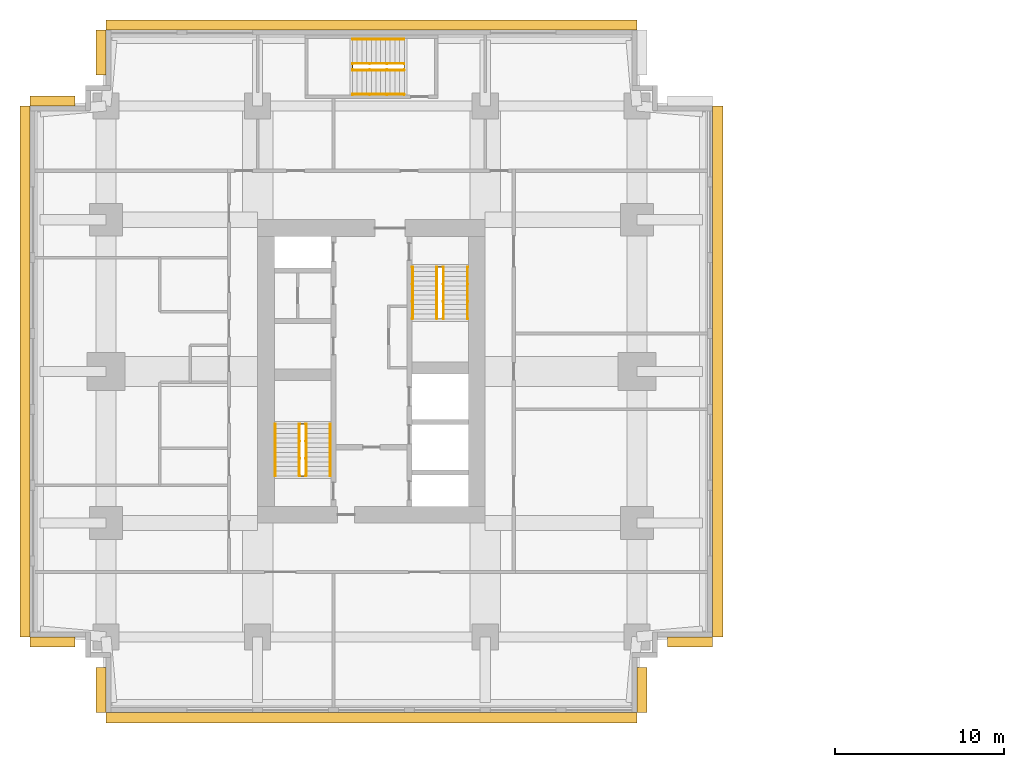
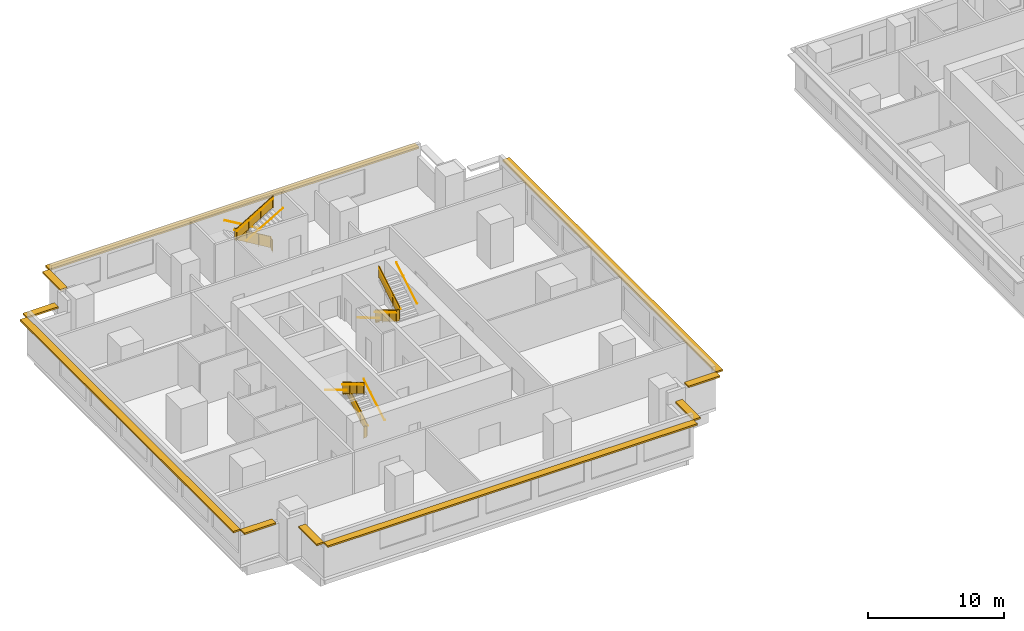
# One storey, part 10 of 11: 15 railings, 10 shading devices.
"""IFC4 building model written with IfcOpenShell, lengths in metres."""

from ifc_helpers import new_model, si_unit, direction, frame, origin, origin_2d, place, context, subcontext, project, spatial, polyline, rectangle, circle, outline, extrude, material, layer, layer_set, type_object, element, save


model = new_model("IFC4")

# Units and contexts
model_context = context("Model", 3, precision=1e-05, world=origin(), true_north=direction((0.0, 1.0)))
body_context = subcontext(model_context, "Body", "Model", "MODEL_VIEW")
ifc_project = project(units=[si_unit("LENGTHUNIT", "METRE"), si_unit("AREAUNIT", "SQUARE_METRE"), si_unit("VOLUMEUNIT", "CUBIC_METRE"), si_unit("PLANEANGLEUNIT", "RADIAN"), si_unit("MASSUNIT", "GRAM", prefix="KILO")], contexts=[model_context])

# Site, building, storey
site_placement = place(None, origin())
site = spatial("IfcSite", under=ifc_project, at=site_placement, CompositionType="ELEMENT")
building_placement = place(site_placement, origin())
building = spatial("IfcBuilding", under=site, at=building_placement, Name="Namib Vertical Campus", CompositionType="ELEMENT")
storey_placement = place(building_placement, frame((0.0, 0.0, 225.0)))
storey = spatial("IfcBuildingStorey", under=building, at=storey_placement, Name="L53", CompositionType="ELEMENT", Elevation=225.0)

# Railings
ifc_material_1 = material(Name="Steel handrail", Category="steel")
railing_type_1 = type_object("IfcRailingType", Name="Handrail 900", PredefinedType="HANDRAIL", material=ifc_material_1)
railing_1_placement = place(storey_placement, frame((17.800048828125, 14.050048828125, 0.166748046875)))
element("IfcRailing", 1, at=railing_1_placement, inside=storey, type_object=railing_type_1, Name="Handrail HR1 A-S1 L53 1", PredefinedType="HANDRAIL", context=body_context, shape_type="SweptSolid", body=[
    extrude(circle(Radius=0.02392578125, at=origin_2d()), frame((0.0, 0.0, 0.8759765625), z_axis=(0.0, 0.859290745958, 0.51148745235), x_axis=(-1.0, 0.0, 0.0)), (0.0, 0.0, 1.0), 3.584228515625),
    extrude(circle(Radius=0.008056640625, at=origin_2d()), frame((0.0, 0.0, 0.8759765625), z_axis=(1.0, 0.0, 0.0), x_axis=(0.0, 0.0, 1.0)), (0.0, 0.0, 1.0), 0.050048828125),
    extrude(circle(Radius=0.008056640625, at=origin_2d()), frame((0.0, 1.026611328125, 1.48681640625), z_axis=(1.0, 0.0, 0.0), x_axis=(0.0, 0.0, 1.0)), (0.0, 0.0, 1.0), 0.050048828125),
    extrude(circle(Radius=0.008056640625, at=origin_2d()), frame((0.0, 2.05322265625, 2.09814453125), z_axis=(1.0, 0.0, 0.0), x_axis=(0.0, 0.0, 1.0)), (0.0, 0.0, 1.0), 0.050048828125),
    extrude(circle(Radius=0.008056640625, at=origin_2d()), frame((0.0, 3.079833984375, 2.708984375), z_axis=(1.0, 0.0, 0.0), x_axis=(0.0, 0.0, 1.0)), (0.0, 0.0, 1.0), 0.050048828125),
])
railing_2_placement = place(storey_placement, frame((14.550048828125, 17.1298828125, 2.166748046875)))
element("IfcRailing", 2, at=railing_2_placement, inside=storey, type_object=railing_type_1, Name="Handrail HR1 A-S1 L53 2", PredefinedType="HANDRAIL", context=body_context, shape_type="SweptSolid", body=[
    extrude(circle(Radius=0.02392578125, at=origin_2d()), frame((0.0, 0.0, 0.8759765625), z_axis=(0.0, -0.859290745958, 0.51148745235), x_axis=(1.0, 0.0, 0.0)), (0.0, 0.0, 1.0), 3.584228515625),
    extrude(circle(Radius=0.008056640625, at=origin_2d()), frame((0.0, 0.0, 0.8759765625), z_axis=(-1.0, 0.0, 0.0), x_axis=(0.0, 0.0, 1.0)), (0.0, 0.0, 1.0), 0.050048828125),
    extrude(circle(Radius=0.008056640625, at=origin_2d()), frame((0.0, -1.026611328125, 1.48681640625), z_axis=(-1.0, 0.0, 0.0), x_axis=(0.0, 0.0, 1.0)), (0.0, 0.0, 1.0), 0.050048828125),
    extrude(circle(Radius=0.008056640625, at=origin_2d()), frame((0.0, -2.05322265625, 2.09814453125), z_axis=(-1.0, 0.0, 0.0), x_axis=(0.0, 0.0, 1.0)), (0.0, 0.0, 1.0), 0.050048828125),
    extrude(circle(Radius=0.008056640625, at=origin_2d()), frame((0.0, -3.079833984375, 2.708984375), z_axis=(-1.0, 0.0, 0.0), x_axis=(0.0, 0.0, 1.0)), (0.0, 0.0, 1.0), 0.050048828125),
])
railing_3_placement = place(storey_placement, frame((16.375, 14.050048828125, 0.166748046875)))
element("IfcRailing", 3, at=railing_3_placement, inside=storey, type_object=railing_type_1, Name="Handrail HR1 A-S1 L53 1 at the well", PredefinedType="HANDRAIL", context=body_context, shape_type="SweptSolid", body=[
    extrude(circle(Radius=0.02392578125, at=origin_2d()), frame((0.0, 0.0, 0.8759765625), z_axis=(0.0, 0.859290745958, 0.51148745235), x_axis=(-1.0, 0.0, 0.0)), (0.0, 0.0, 1.0), 3.584228515625),
    extrude(circle(Radius=0.008056640625, at=origin_2d()), frame((0.0, 0.0, 0.8759765625), z_axis=(-1.0, 0.0, 0.0), x_axis=(0.0, 0.0, 1.0)), (0.0, 0.0, 1.0), 0.0400390625),
    extrude(circle(Radius=0.008056640625, at=origin_2d()), frame((0.0, 1.026611328125, 1.48681640625), z_axis=(-1.0, 0.0, 0.0), x_axis=(0.0, 0.0, 1.0)), (0.0, 0.0, 1.0), 0.0400390625),
    extrude(circle(Radius=0.008056640625, at=origin_2d()), frame((0.0, 2.05322265625, 2.09814453125), z_axis=(-1.0, 0.0, 0.0), x_axis=(0.0, 0.0, 1.0)), (0.0, 0.0, 1.0), 0.0400390625),
    extrude(circle(Radius=0.008056640625, at=origin_2d()), frame((0.0, 3.079833984375, 2.708984375), z_axis=(-1.0, 0.0, 0.0), x_axis=(0.0, 0.0, 1.0)), (0.0, 0.0, 1.0), 0.0400390625),
])
railing_4_placement = place(storey_placement, frame((15.97509765625, 17.1298828125, 2.166748046875)))
element("IfcRailing", 4, at=railing_4_placement, inside=storey, type_object=railing_type_1, Name="Handrail HR1 A-S1 L53 2 at the well", PredefinedType="HANDRAIL", context=body_context, shape_type="SweptSolid", body=[
    extrude(circle(Radius=0.02392578125, at=origin_2d()), frame((0.0, 0.0, 0.8759765625), z_axis=(0.0, -0.859290745958, 0.51148745235), x_axis=(1.0, 0.0, 0.0)), (0.0, 0.0, 1.0), 3.584228515625),
    extrude(circle(Radius=0.008056640625, at=origin_2d()), frame((0.0, 0.0, 0.8759765625), z_axis=(1.0, 0.0, 0.0), x_axis=(0.0, 0.0, 1.0)), (0.0, 0.0, 1.0), 0.0400390625),
    extrude(circle(Radius=0.008056640625, at=origin_2d()), frame((0.0, -1.026611328125, 1.48681640625), z_axis=(1.0, 0.0, 0.0), x_axis=(0.0, 0.0, 1.0)), (0.0, 0.0, 1.0), 0.0400390625),
    extrude(circle(Radius=0.008056640625, at=origin_2d()), frame((0.0, -2.05322265625, 2.09814453125), z_axis=(1.0, 0.0, 0.0), x_axis=(0.0, 0.0, 1.0)), (0.0, 0.0, 1.0), 0.0400390625),
    extrude(circle(Radius=0.008056640625, at=origin_2d()), frame((0.0, -3.079833984375, 2.708984375), z_axis=(1.0, 0.0, 0.0), x_axis=(0.0, 0.0, 1.0)), (0.0, 0.0, 1.0), 0.0400390625),
])
railing_5_placement = place(storey_placement, frame((22.699951171875, 26.449951171875, 0.166748046875)))
element("IfcRailing", 5, at=railing_5_placement, inside=storey, type_object=railing_type_1, Name="Handrail HR1 A-S2 L53 1", PredefinedType="HANDRAIL", context=body_context, shape_type="SweptSolid", body=[
    extrude(circle(Radius=0.02392578125, at=origin_2d()), frame((0.0, 0.0, 0.8759765625), z_axis=(0.0, -0.859290745958, 0.51148745235), x_axis=(1.0, 0.0, 0.0)), (0.0, 0.0, 1.0), 3.584228515625),
    extrude(circle(Radius=0.008056640625, at=origin_2d()), frame((0.0, 0.0, 0.8759765625), z_axis=(-1.0, 0.0, 0.0), x_axis=(0.0, 0.0, 1.0)), (0.0, 0.0, 1.0), 0.050048828125),
    extrude(circle(Radius=0.008056640625, at=origin_2d()), frame((0.0, -1.026611328125, 1.48681640625), z_axis=(-1.0, 0.0, 0.0), x_axis=(0.0, 0.0, 1.0)), (0.0, 0.0, 1.0), 0.050048828125),
    extrude(circle(Radius=0.008056640625, at=origin_2d()), frame((0.0, -2.05322265625, 2.09814453125), z_axis=(-1.0, 0.0, 0.0), x_axis=(0.0, 0.0, 1.0)), (0.0, 0.0, 1.0), 0.050048828125),
    extrude(circle(Radius=0.008056640625, at=origin_2d()), frame((0.0, -3.079833984375, 2.708984375), z_axis=(-1.0, 0.0, 0.0), x_axis=(0.0, 0.0, 1.0)), (0.0, 0.0, 1.0), 0.050048828125),
])
railing_6_placement = place(storey_placement, frame((25.949951171875, 23.3701171875, 2.166748046875)))
element("IfcRailing", 6, at=railing_6_placement, inside=storey, type_object=railing_type_1, Name="Handrail HR1 A-S2 L53 2", PredefinedType="HANDRAIL", context=body_context, shape_type="SweptSolid", body=[
    extrude(circle(Radius=0.02392578125, at=origin_2d()), frame((0.0, 0.0, 0.8759765625), z_axis=(0.0, 0.859290745958, 0.51148745235), x_axis=(-1.0, 0.0, 0.0)), (0.0, 0.0, 1.0), 3.584228515625),
    extrude(circle(Radius=0.008056640625, at=origin_2d()), frame((0.0, 0.0, 0.8759765625), z_axis=(1.0, 0.0, 0.0), x_axis=(0.0, 0.0, 1.0)), (0.0, 0.0, 1.0), 0.050048828125),
    extrude(circle(Radius=0.008056640625, at=origin_2d()), frame((0.0, 1.026611328125, 1.48681640625), z_axis=(1.0, 0.0, 0.0), x_axis=(0.0, 0.0, 1.0)), (0.0, 0.0, 1.0), 0.050048828125),
    extrude(circle(Radius=0.008056640625, at=origin_2d()), frame((0.0, 2.05322265625, 2.09814453125), z_axis=(1.0, 0.0, 0.0), x_axis=(0.0, 0.0, 1.0)), (0.0, 0.0, 1.0), 0.050048828125),
    extrude(circle(Radius=0.008056640625, at=origin_2d()), frame((0.0, 3.079833984375, 2.708984375), z_axis=(1.0, 0.0, 0.0), x_axis=(0.0, 0.0, 1.0)), (0.0, 0.0, 1.0), 0.050048828125),
])
railing_7_placement = place(storey_placement, frame((24.125, 26.449951171875, 0.166748046875)))
element("IfcRailing", 7, at=railing_7_placement, inside=storey, type_object=railing_type_1, Name="Handrail HR1 A-S2 L53 1 at the well", PredefinedType="HANDRAIL", context=body_context, shape_type="SweptSolid", body=[
    extrude(circle(Radius=0.02392578125, at=origin_2d()), frame((0.0, 0.0, 0.8759765625), z_axis=(0.0, -0.859290745958, 0.51148745235), x_axis=(1.0, 0.0, 0.0)), (0.0, 0.0, 1.0), 3.584228515625),
    extrude(circle(Radius=0.008056640625, at=origin_2d()), frame((0.0, 0.0, 0.8759765625), z_axis=(1.0, 0.0, 0.0), x_axis=(0.0, 0.0, 1.0)), (0.0, 0.0, 1.0), 0.0400390625),
    extrude(circle(Radius=0.008056640625, at=origin_2d()), frame((0.0, -1.026611328125, 1.48681640625), z_axis=(1.0, 0.0, 0.0), x_axis=(0.0, 0.0, 1.0)), (0.0, 0.0, 1.0), 0.0400390625),
    extrude(circle(Radius=0.008056640625, at=origin_2d()), frame((0.0, -2.05322265625, 2.09814453125), z_axis=(1.0, 0.0, 0.0), x_axis=(0.0, 0.0, 1.0)), (0.0, 0.0, 1.0), 0.0400390625),
    extrude(circle(Radius=0.008056640625, at=origin_2d()), frame((0.0, -3.079833984375, 2.708984375), z_axis=(1.0, 0.0, 0.0), x_axis=(0.0, 0.0, 1.0)), (0.0, 0.0, 1.0), 0.0400390625),
])
railing_8_placement = place(storey_placement, frame((24.52490234375, 23.3701171875, 2.166748046875)))
element("IfcRailing", 8, at=railing_8_placement, inside=storey, type_object=railing_type_1, Name="Handrail HR1 A-S2 L53 2 at the well", PredefinedType="HANDRAIL", context=body_context, shape_type="SweptSolid", body=[
    extrude(circle(Radius=0.02392578125, at=origin_2d()), frame((0.0, 0.0, 0.8759765625), z_axis=(0.0, 0.859290745958, 0.51148745235), x_axis=(-1.0, 0.0, 0.0)), (0.0, 0.0, 1.0), 3.584228515625),
    extrude(circle(Radius=0.008056640625, at=origin_2d()), frame((0.0, 0.0, 0.8759765625), z_axis=(-1.0, 0.0, 0.0), x_axis=(0.0, 0.0, 1.0)), (0.0, 0.0, 1.0), 0.0400390625),
    extrude(circle(Radius=0.008056640625, at=origin_2d()), frame((0.0, 1.026611328125, 1.48681640625), z_axis=(-1.0, 0.0, 0.0), x_axis=(0.0, 0.0, 1.0)), (0.0, 0.0, 1.0), 0.0400390625),
    extrude(circle(Radius=0.008056640625, at=origin_2d()), frame((0.0, 2.05322265625, 2.09814453125), z_axis=(-1.0, 0.0, 0.0), x_axis=(0.0, 0.0, 1.0)), (0.0, 0.0, 1.0), 0.0400390625),
    extrude(circle(Radius=0.008056640625, at=origin_2d()), frame((0.0, 3.079833984375, 2.708984375), z_axis=(-1.0, 0.0, 0.0), x_axis=(0.0, 0.0, 1.0)), (0.0, 0.0, 1.0), 0.0400390625),
])
railing_9_placement = place(storey_placement, frame((22.199951171875, 39.949951171875, 0.166748046875)))
element("IfcRailing", 9, at=railing_9_placement, inside=storey, type_object=railing_type_1, Name="Handrail HR1 A-S3 L53 1", PredefinedType="HANDRAIL", context=body_context, shape_type="SweptSolid", body=[
    extrude(circle(Radius=0.02392578125, at=origin_2d()), frame((0.0, 0.0, 0.8759765625), z_axis=(-0.859290745958, 0.0, 0.51148745235), x_axis=(0.0, -1.0, 0.0)), (0.0, 0.0, 1.0), 3.584228515625),
    extrude(circle(Radius=0.008056640625, at=origin_2d()), frame((0.0, 0.0, 0.8759765625), z_axis=(0.0, 1.0, 0.0), x_axis=(0.0, 0.0, 1.0)), (0.0, 0.0, 1.0), 0.050048828125),
    extrude(circle(Radius=0.008056640625, at=origin_2d()), frame((-1.026611328125, 0.0, 1.48681640625), z_axis=(0.0, 1.0, 0.0), x_axis=(0.0, 0.0, 1.0)), (0.0, 0.0, 1.0), 0.050048828125),
    extrude(circle(Radius=0.008056640625, at=origin_2d()), frame((-2.05322265625, 0.0, 2.09814453125), z_axis=(0.0, 1.0, 0.0), x_axis=(0.0, 0.0, 1.0)), (0.0, 0.0, 1.0), 0.050048828125),
    extrude(circle(Radius=0.008056640625, at=origin_2d()), frame((-3.079833984375, 0.0, 2.708984375), z_axis=(0.0, 1.0, 0.0), x_axis=(0.0, 0.0, 1.0)), (0.0, 0.0, 1.0), 0.050048828125),
])
railing_10_placement = place(storey_placement, frame((19.1201171875, 36.699951171875, 2.166748046875)))
element("IfcRailing", 10, at=railing_10_placement, inside=storey, type_object=railing_type_1, Name="Handrail HR1 A-S3 L53 2", PredefinedType="HANDRAIL", context=body_context, shape_type="SweptSolid", body=[
    extrude(circle(Radius=0.02392578125, at=origin_2d()), frame((0.0, 0.0, 0.8759765625), z_axis=(0.859290745958, 0.0, 0.51148745235), x_axis=(0.0, 1.0, 0.0)), (0.0, 0.0, 1.0), 3.584228515625),
    extrude(circle(Radius=0.008056640625, at=origin_2d()), frame((0.0, 0.0, 0.8759765625), z_axis=(0.0, -1.0, 0.0), x_axis=(0.0, 0.0, 1.0)), (0.0, 0.0, 1.0), 0.050048828125),
    extrude(circle(Radius=0.008056640625, at=origin_2d()), frame((1.026611328125, 0.0, 1.48681640625), z_axis=(0.0, -1.0, 0.0), x_axis=(0.0, 0.0, 1.0)), (0.0, 0.0, 1.0), 0.050048828125),
    extrude(circle(Radius=0.008056640625, at=origin_2d()), frame((2.05322265625, 0.0, 2.09814453125), z_axis=(0.0, -1.0, 0.0), x_axis=(0.0, 0.0, 1.0)), (0.0, 0.0, 1.0), 0.050048828125),
    extrude(circle(Radius=0.008056640625, at=origin_2d()), frame((3.079833984375, 0.0, 2.708984375), z_axis=(0.0, -1.0, 0.0), x_axis=(0.0, 0.0, 1.0)), (0.0, 0.0, 1.0), 0.050048828125),
])
railing_11_placement = place(storey_placement, frame((22.199951171875, 38.52490234375, 0.166748046875)))
element("IfcRailing", 11, at=railing_11_placement, inside=storey, type_object=railing_type_1, Name="Handrail HR1 A-S3 L53 1 at the well", PredefinedType="HANDRAIL", context=body_context, shape_type="SweptSolid", body=[
    extrude(circle(Radius=0.02392578125, at=origin_2d()), frame((0.0, 0.0, 0.8759765625), z_axis=(-0.859290745958, 0.0, 0.51148745235), x_axis=(0.0, -1.0, 0.0)), (0.0, 0.0, 1.0), 3.584228515625),
    extrude(circle(Radius=0.008056640625, at=origin_2d()), frame((0.0, 0.0, 0.8759765625), z_axis=(0.0, -1.0, 0.0), x_axis=(0.0, 0.0, 1.0)), (0.0, 0.0, 1.0), 0.0400390625),
    extrude(circle(Radius=0.008056640625, at=origin_2d()), frame((-1.026611328125, 0.0, 1.48681640625), z_axis=(0.0, -1.0, 0.0), x_axis=(0.0, 0.0, 1.0)), (0.0, 0.0, 1.0), 0.0400390625),
    extrude(circle(Radius=0.008056640625, at=origin_2d()), frame((-2.05322265625, 0.0, 2.09814453125), z_axis=(0.0, -1.0, 0.0), x_axis=(0.0, 0.0, 1.0)), (0.0, 0.0, 1.0), 0.0400390625),
    extrude(circle(Radius=0.008056640625, at=origin_2d()), frame((-3.079833984375, 0.0, 2.708984375), z_axis=(0.0, -1.0, 0.0), x_axis=(0.0, 0.0, 1.0)), (0.0, 0.0, 1.0), 0.0400390625),
])
railing_12_placement = place(storey_placement, frame((19.1201171875, 38.125, 2.166748046875)))
element("IfcRailing", 12, at=railing_12_placement, inside=storey, type_object=railing_type_1, Name="Handrail HR1 A-S3 L53 2 at the well", PredefinedType="HANDRAIL", context=body_context, shape_type="SweptSolid", body=[
    extrude(circle(Radius=0.02392578125, at=origin_2d()), frame((0.0, 0.0, 0.8759765625), z_axis=(0.859290745958, 0.0, 0.51148745235), x_axis=(0.0, 1.0, 0.0)), (0.0, 0.0, 1.0), 3.584228515625),
    extrude(circle(Radius=0.008056640625, at=origin_2d()), frame((0.0, 0.0, 0.8759765625), z_axis=(0.0, 1.0, 0.0), x_axis=(0.0, 0.0, 1.0)), (0.0, 0.0, 1.0), 0.0400390625),
    extrude(circle(Radius=0.008056640625, at=origin_2d()), frame((1.026611328125, 0.0, 1.48681640625), z_axis=(0.0, 1.0, 0.0), x_axis=(0.0, 0.0, 1.0)), (0.0, 0.0, 1.0), 0.0400390625),
    extrude(circle(Radius=0.008056640625, at=origin_2d()), frame((2.05322265625, 0.0, 2.09814453125), z_axis=(0.0, 1.0, 0.0), x_axis=(0.0, 0.0, 1.0)), (0.0, 0.0, 1.0), 0.0400390625),
    extrude(circle(Radius=0.008056640625, at=origin_2d()), frame((3.079833984375, 0.0, 2.708984375), z_axis=(0.0, 1.0, 0.0), x_axis=(0.0, 0.0, 1.0)), (0.0, 0.0, 1.0), 0.0400390625),
])
ifc_material_2 = material(Name="Steel balustrade", Category="steel")
railing_type_2 = type_object("IfcRailingType", Name="Stair guard 1100", PredefinedType="GUARDRAIL", material=ifc_material_2)
railing_13_placement = place(storey_placement, frame((16.02490234375, 14.050048828125, 0.0)))
element("IfcRailing", 13, at=railing_13_placement, inside=storey, type_object=railing_type_2, Name="Stair guard GR1 A-S1 L53", PredefinedType="GUARDRAIL", context=body_context, shape_type="SweptSolid", body=[
    extrude(circle(Radius=0.02392578125, at=origin_2d()), frame((0.0, 0.0, 1.076171875), z_axis=(1.0, 0.0, 0.0), x_axis=(0.0, 1.0, 0.0)), (0.0, 0.0, 1.0), 0.300048828125),
    extrude(outline(polyline([(0.02099609375, 0.050048828125), (0.279052734375, 0.050048828125), (0.279052734375, 1.052001953125), (0.02099609375, 1.052001953125), (0.02099609375, 0.050048828125)])), frame((0.0, 0.010009765625, 0.0), z_axis=(0.0, -1.0, 0.0), x_axis=(1.0, 0.0, 0.0)), (0.0, 0.0, 1.0), 0.02001953125),
    extrude(circle(Radius=0.02392578125, at=origin_2d()), frame((0.300048828125, 0.0, 1.076171875), z_axis=(0.0, 0.0, 1.0), x_axis=(1.0, 0.0, 0.0)), (0.0, 0.0, 1.0), 0.166748046875),
    extrude(circle(Radius=0.02392578125, at=origin_2d()), frame((0.300048828125, 0.0, 1.24267578125), z_axis=(0.0, 0.859290745958, 0.51148745235), x_axis=(-1.0, 0.0, 0.0)), (0.0, 0.0, 1.0), 3.584228515625),
    extrude(outline(polyline([(0.02099609375, 0.0625), (3.058837890625, 1.870849609375), (3.058837890625, 2.872802734375), (0.02099609375, 1.064453125), (0.02099609375, 0.0625)])), frame((0.2900390625, 0.0, 0.166748046875), z_axis=(1.0, 0.0, 0.0), x_axis=(0.0, 1.0, 0.0)), (0.0, 0.0, 1.0), 0.02001953125),
    extrude(circle(Radius=0.02392578125, at=origin_2d()), frame((0.300048828125, 3.079833984375, 3.076171875), z_axis=(-1.0, 0.0, 0.0), x_axis=(0.0, -1.0, 0.0)), (0.0, 0.0, 1.0), 0.300048828125),
    extrude(outline(polyline([(0.02099609375, 0.050048828125), (0.279052734375, 0.050048828125), (0.279052734375, 1.052001953125), (0.02099609375, 1.052001953125), (0.02099609375, 0.050048828125)])), frame((0.300048828125, 3.06982421875, 2.0), z_axis=(0.0, 1.0, 0.0), x_axis=(-1.0, 0.0, 0.0)), (0.0, 0.0, 1.0), 0.02001953125),
    extrude(circle(Radius=0.02392578125, at=origin_2d()), frame((0.0, 3.079833984375, 3.076171875), z_axis=(0.0, 0.0, 1.0), x_axis=(1.0, 0.0, 0.0)), (0.0, 0.0, 1.0), 0.166748046875),
    extrude(circle(Radius=0.02392578125, at=origin_2d()), frame((0.0, 3.079833984375, 3.24267578125), z_axis=(0.0, -0.859290745958, 0.51148745235), x_axis=(1.0, 0.0, 0.0)), (0.0, 0.0, 1.0), 3.584228515625),
    extrude(outline(polyline([(0.02099609375, 0.0625), (3.058837890625, 1.870849609375), (3.058837890625, 2.872802734375), (0.02099609375, 1.064453125), (0.02099609375, 0.0625)])), frame((0.010009765625, 3.079833984375, 2.166748046875), z_axis=(-1.0, 0.0, 0.0), x_axis=(0.0, -1.0, 0.0)), (0.0, 0.0, 1.0), 0.02001953125),
    extrude(circle(Radius=0.02392578125, at=origin_2d()), frame((0.0, 0.0, 5.076171875), z_axis=(0.0, -1.0, 0.0), x_axis=(1.0, 0.0, 0.0)), (0.0, 0.0, 1.0), 0.050048828125),
    extrude(outline(polyline([(0.02099609375, 0.050048828125), (0.029052734375, 0.050048828125), (0.029052734375, 1.052001953125), (0.02099609375, 1.052001953125), (0.02099609375, 0.050048828125)])), frame((0.010009765625, 0.0, 4.0), z_axis=(-1.0, 0.0, 0.0), x_axis=(0.0, -1.0, 0.0)), (0.0, 0.0, 1.0), 0.02001953125),
    extrude(circle(Radius=0.02099609375, at=origin_2d()), origin(), (0.0, 0.0, 1.0), 1.052001953125),
    extrude(circle(Radius=0.02099609375, at=origin_2d()), frame((0.300048828125, 0.0, 0.166748046875)), (0.0, 0.0, 1.0), 1.052001953125),
    extrude(circle(Radius=0.02099609375, at=origin_2d()), frame((0.300048828125, 1.026611328125, 0.666748046875)), (0.0, 0.0, 1.0), 1.1630859375),
    extrude(circle(Radius=0.02099609375, at=origin_2d()), frame((0.300048828125, 2.05322265625, 1.33349609375)), (0.0, 0.0, 1.0), 1.107421875),
    extrude(circle(Radius=0.02099609375, at=origin_2d()), frame((0.300048828125, 3.079833984375, 2.0)), (0.0, 0.0, 1.0), 1.052001953125),
    extrude(circle(Radius=0.02099609375, at=origin_2d()), frame((0.0, 3.079833984375, 2.166748046875)), (0.0, 0.0, 1.0), 1.052001953125),
    extrude(circle(Radius=0.02099609375, at=origin_2d()), frame((0.0, 2.05322265625, 2.666748046875)), (0.0, 0.0, 1.0), 1.1630859375),
    extrude(circle(Radius=0.02099609375, at=origin_2d()), frame((0.0, 1.026611328125, 3.33349609375)), (0.0, 0.0, 1.0), 1.107421875),
    extrude(circle(Radius=0.02099609375, at=origin_2d()), frame((0.0, 0.0, 4.0)), (0.0, 0.0, 1.0), 1.052001953125),
    extrude(circle(Radius=0.02099609375, at=origin_2d()), frame((0.0, -0.050048828125, 4.0)), (0.0, 0.0, 1.0), 1.052001953125),
])
railing_14_placement = place(storey_placement, frame((24.47509765625, 26.449951171875, 0.0)))
element("IfcRailing", 14, at=railing_14_placement, inside=storey, type_object=railing_type_2, Name="Stair guard GR1 A-S2 L53", PredefinedType="GUARDRAIL", context=body_context, shape_type="SweptSolid", body=[
    extrude(circle(Radius=0.02392578125, at=origin_2d()), frame((0.0, 0.0, 1.076171875), z_axis=(-1.0, 0.0, 0.0), x_axis=(0.0, -1.0, 0.0)), (0.0, 0.0, 1.0), 0.300048828125),
    extrude(outline(polyline([(0.02099609375, 0.050048828125), (0.279052734375, 0.050048828125), (0.279052734375, 1.052001953125), (0.02099609375, 1.052001953125), (0.02099609375, 0.050048828125)])), frame((0.0, -0.010009765625, 0.0), z_axis=(0.0, 1.0, 0.0), x_axis=(-1.0, 0.0, 0.0)), (0.0, 0.0, 1.0), 0.02001953125),
    extrude(circle(Radius=0.02392578125, at=origin_2d()), frame((-0.300048828125, 0.0, 1.076171875), z_axis=(0.0, 0.0, 1.0), x_axis=(1.0, 0.0, 0.0)), (0.0, 0.0, 1.0), 0.166748046875),
    extrude(circle(Radius=0.02392578125, at=origin_2d()), frame((-0.300048828125, 0.0, 1.24267578125), z_axis=(0.0, -0.859290745958, 0.51148745235), x_axis=(1.0, 0.0, 0.0)), (0.0, 0.0, 1.0), 3.584228515625),
    extrude(outline(polyline([(0.02099609375, 0.0625), (3.058837890625, 1.870849609375), (3.058837890625, 2.872802734375), (0.02099609375, 1.064453125), (0.02099609375, 0.0625)])), frame((-0.2900390625, 0.0, 0.166748046875), z_axis=(-1.0, 0.0, 0.0), x_axis=(0.0, -1.0, 0.0)), (0.0, 0.0, 1.0), 0.02001953125),
    extrude(circle(Radius=0.02392578125, at=origin_2d()), frame((-0.300048828125, -3.079833984375, 3.076171875), z_axis=(1.0, 0.0, 0.0), x_axis=(0.0, 1.0, 0.0)), (0.0, 0.0, 1.0), 0.300048828125),
    extrude(outline(polyline([(0.02099609375, 0.050048828125), (0.279052734375, 0.050048828125), (0.279052734375, 1.052001953125), (0.02099609375, 1.052001953125), (0.02099609375, 0.050048828125)])), frame((-0.300048828125, -3.06982421875, 2.0), z_axis=(0.0, -1.0, 0.0), x_axis=(1.0, 0.0, 0.0)), (0.0, 0.0, 1.0), 0.02001953125),
    extrude(circle(Radius=0.02392578125, at=origin_2d()), frame((0.0, -3.079833984375, 3.076171875), z_axis=(0.0, 0.0, 1.0), x_axis=(1.0, 0.0, 0.0)), (0.0, 0.0, 1.0), 0.166748046875),
    extrude(circle(Radius=0.02392578125, at=origin_2d()), frame((0.0, -3.079833984375, 3.24267578125), z_axis=(0.0, 0.859290745958, 0.51148745235), x_axis=(-1.0, 0.0, 0.0)), (0.0, 0.0, 1.0), 3.584228515625),
    extrude(outline(polyline([(0.02099609375, 0.0625), (3.058837890625, 1.870849609375), (3.058837890625, 2.872802734375), (0.02099609375, 1.064453125), (0.02099609375, 0.0625)])), frame((-0.010009765625, -3.079833984375, 2.166748046875), z_axis=(1.0, 0.0, 0.0), x_axis=(0.0, 1.0, 0.0)), (0.0, 0.0, 1.0), 0.02001953125),
    extrude(circle(Radius=0.02392578125, at=origin_2d()), frame((0.0, 0.0, 5.076171875), z_axis=(0.0, 1.0, 0.0), x_axis=(-1.0, 0.0, 0.0)), (0.0, 0.0, 1.0), 0.050048828125),
    extrude(outline(polyline([(0.02099609375, 0.050048828125), (0.029052734375, 0.050048828125), (0.029052734375, 1.052001953125), (0.02099609375, 1.052001953125), (0.02099609375, 0.050048828125)])), frame((-0.010009765625, 0.0, 4.0), z_axis=(1.0, 0.0, 0.0), x_axis=(0.0, 1.0, 0.0)), (0.0, 0.0, 1.0), 0.02001953125),
    extrude(circle(Radius=0.02099609375, at=origin_2d()), origin(), (0.0, 0.0, 1.0), 1.052001953125),
    extrude(circle(Radius=0.02099609375, at=origin_2d()), frame((-0.300048828125, 0.0, 0.166748046875)), (0.0, 0.0, 1.0), 1.052001953125),
    extrude(circle(Radius=0.02099609375, at=origin_2d()), frame((-0.300048828125, -1.026611328125, 0.666748046875)), (0.0, 0.0, 1.0), 1.1630859375),
    extrude(circle(Radius=0.02099609375, at=origin_2d()), frame((-0.300048828125, -2.05322265625, 1.33349609375)), (0.0, 0.0, 1.0), 1.107421875),
    extrude(circle(Radius=0.02099609375, at=origin_2d()), frame((-0.300048828125, -3.079833984375, 2.0)), (0.0, 0.0, 1.0), 1.052001953125),
    extrude(circle(Radius=0.02099609375, at=origin_2d()), frame((0.0, -3.079833984375, 2.166748046875)), (0.0, 0.0, 1.0), 1.052001953125),
    extrude(circle(Radius=0.02099609375, at=origin_2d()), frame((0.0, -2.05322265625, 2.666748046875)), (0.0, 0.0, 1.0), 1.1630859375),
    extrude(circle(Radius=0.02099609375, at=origin_2d()), frame((0.0, -1.026611328125, 3.33349609375)), (0.0, 0.0, 1.0), 1.107421875),
    extrude(circle(Radius=0.02099609375, at=origin_2d()), frame((0.0, 0.0, 4.0)), (0.0, 0.0, 1.0), 1.052001953125),
    extrude(circle(Radius=0.02099609375, at=origin_2d()), frame((0.0, 0.050048828125, 4.0)), (0.0, 0.0, 1.0), 1.052001953125),
])
railing_15_placement = place(storey_placement, frame((22.199951171875, 38.175048828125, 0.0)))
element("IfcRailing", 15, at=railing_15_placement, inside=storey, type_object=railing_type_2, Name="Stair guard GR1 A-S3 L53", PredefinedType="GUARDRAIL", context=body_context, shape_type="SweptSolid", body=[
    extrude(circle(Radius=0.02392578125, at=origin_2d()), frame((0.0, 0.0, 1.076171875), z_axis=(0.0, 1.0, 0.0), x_axis=(-1.0, 0.0, 0.0)), (0.0, 0.0, 1.0), 0.300048828125),
    extrude(outline(polyline([(0.02099609375, 0.050048828125), (0.279052734375, 0.050048828125), (0.279052734375, 1.052001953125), (0.02099609375, 1.052001953125), (0.02099609375, 0.050048828125)])), frame((-0.010009765625, 0.0, 0.0), z_axis=(1.0, 0.0, 0.0), x_axis=(0.0, 1.0, 0.0)), (0.0, 0.0, 1.0), 0.02001953125),
    extrude(circle(Radius=0.02392578125, at=origin_2d()), frame((0.0, 0.300048828125, 1.076171875), z_axis=(0.0, 0.0, 1.0), x_axis=(1.0, 0.0, 0.0)), (0.0, 0.0, 1.0), 0.166748046875),
    extrude(circle(Radius=0.02392578125, at=origin_2d()), frame((0.0, 0.300048828125, 1.24267578125), z_axis=(-0.859290745958, 0.0, 0.51148745235), x_axis=(0.0, -1.0, 0.0)), (0.0, 0.0, 1.0), 3.584228515625),
    extrude(outline(polyline([(0.02099609375, 0.0625), (3.058837890625, 1.870849609375), (3.058837890625, 2.872802734375), (0.02099609375, 1.064453125), (0.02099609375, 0.0625)])), frame((0.0, 0.2900390625, 0.166748046875), z_axis=(0.0, 1.0, 0.0), x_axis=(-1.0, 0.0, 0.0)), (0.0, 0.0, 1.0), 0.02001953125),
    extrude(circle(Radius=0.02392578125, at=origin_2d()), frame((-3.079833984375, 0.300048828125, 3.076171875), z_axis=(0.0, -1.0, 0.0), x_axis=(1.0, 0.0, 0.0)), (0.0, 0.0, 1.0), 0.300048828125),
    extrude(outline(polyline([(0.02099609375, 0.050048828125), (0.279052734375, 0.050048828125), (0.279052734375, 1.052001953125), (0.02099609375, 1.052001953125), (0.02099609375, 0.050048828125)])), frame((-3.06982421875, 0.300048828125, 2.0), z_axis=(-1.0, 0.0, 0.0), x_axis=(0.0, -1.0, 0.0)), (0.0, 0.0, 1.0), 0.02001953125),
    extrude(circle(Radius=0.02392578125, at=origin_2d()), frame((-3.079833984375, 0.0, 3.076171875), z_axis=(0.0, 0.0, 1.0), x_axis=(1.0, 0.0, 0.0)), (0.0, 0.0, 1.0), 0.166748046875),
    extrude(circle(Radius=0.02392578125, at=origin_2d()), frame((-3.079833984375, 0.0, 3.24267578125), z_axis=(0.859290745958, 0.0, 0.51148745235), x_axis=(0.0, 1.0, 0.0)), (0.0, 0.0, 1.0), 3.584228515625),
    extrude(outline(polyline([(0.02099609375, 0.0625), (3.058837890625, 1.870849609375), (3.058837890625, 2.872802734375), (0.02099609375, 1.064453125), (0.02099609375, 0.0625)])), frame((-3.079833984375, 0.010009765625, 2.166748046875), z_axis=(0.0, -1.0, 0.0), x_axis=(1.0, 0.0, 0.0)), (0.0, 0.0, 1.0), 0.02001953125),
    extrude(circle(Radius=0.02392578125, at=origin_2d()), frame((0.0, 0.0, 5.076171875), z_axis=(1.0, 0.0, 0.0), x_axis=(0.0, 1.0, 0.0)), (0.0, 0.0, 1.0), 0.050048828125),
    extrude(outline(polyline([(0.02099609375, 0.050048828125), (0.029052734375, 0.050048828125), (0.029052734375, 1.052001953125), (0.02099609375, 1.052001953125), (0.02099609375, 0.050048828125)])), frame((0.0, 0.010009765625, 4.0), z_axis=(0.0, -1.0, 0.0), x_axis=(1.0, 0.0, 0.0)), (0.0, 0.0, 1.0), 0.02001953125),
    extrude(circle(Radius=0.02099609375, at=origin_2d()), origin(), (0.0, 0.0, 1.0), 1.052001953125),
    extrude(circle(Radius=0.02099609375, at=origin_2d()), frame((0.0, 0.300048828125, 0.166748046875)), (0.0, 0.0, 1.0), 1.052001953125),
    extrude(circle(Radius=0.02099609375, at=origin_2d()), frame((-1.026611328125, 0.300048828125, 0.666748046875)), (0.0, 0.0, 1.0), 1.1630859375),
    extrude(circle(Radius=0.02099609375, at=origin_2d()), frame((-2.05322265625, 0.300048828125, 1.33349609375)), (0.0, 0.0, 1.0), 1.107421875),
    extrude(circle(Radius=0.02099609375, at=origin_2d()), frame((-3.079833984375, 0.300048828125, 2.0)), (0.0, 0.0, 1.0), 1.052001953125),
    extrude(circle(Radius=0.02099609375, at=origin_2d()), frame((-3.079833984375, 0.0, 2.166748046875)), (0.0, 0.0, 1.0), 1.052001953125),
    extrude(circle(Radius=0.02099609375, at=origin_2d()), frame((-2.05322265625, 0.0, 2.666748046875)), (0.0, 0.0, 1.0), 1.1630859375),
    extrude(circle(Radius=0.02099609375, at=origin_2d()), frame((-1.026611328125, 0.0, 3.33349609375)), (0.0, 0.0, 1.0), 1.107421875),
    extrude(circle(Radius=0.02099609375, at=origin_2d()), frame((0.0, 0.0, 4.0)), (0.0, 0.0, 1.0), 1.052001953125),
    extrude(circle(Radius=0.02099609375, at=origin_2d()), frame((0.050048828125, 0.0, 4.0)), (0.0, 0.0, 1.0), 1.052001953125),
])

# Shading devices
ifc_material_3 = material(Name="Concrete C40/50 precast", Category="concrete")
ifc_layer = layer(ifc_material_3, 0.14990234375)
ifc_layer_set = layer_set([ifc_layer], Name="Concrete C40/50 precast")
shading_device_type = type_object("IfcShadingDeviceType", Name="Sunshade hood 600", PredefinedType="SHUTTER", material=ifc_layer_set)
shading_device_1_placement = place(storey_placement, frame((20.25, -0.300048828125, 3.10009765625), z_axis=(0.0, 0.0, 1.0), x_axis=(1.0, 0.0, 0.0)))
element("IfcShadingDevice", 16, at=shading_device_1_placement, inside=storey, type_object=shading_device_type, Name="Sunshade SH3 L53 1", PredefinedType="SHUTTER", context=body_context, shape_type="SweptSolid", body=[
    extrude(rectangle(XDim=31.5, YDim=0.60009765625, at=origin_2d()), origin(), (0.0, 0.0, 1.0), 0.14990234375),
])
for number, where, z_axis, x_axis, name in (
    (17, (36.300048828125, 1.33740234375, 3.10009765625), (0.0, 0.0, 1.0), (0.0, 1.0, 0.0), "Sunshade SH3 L53 2"),
    (18, (39.16259765625, 4.199951171875, 3.10009765625), (0.0, 0.0, 1.0), (1.0, 0.0, 0.0), "Sunshade SH3 L53 5"),
):
    element("IfcShadingDevice", number, at=place(storey_placement, frame(where, z_axis=z_axis, x_axis=x_axis)), inside=storey, type_object=shading_device_type, Name=name, PredefinedType="SHUTTER", context=body_context, shape_type="SweptSolid", body=[
        extrude(rectangle(XDim=2.675048828125, YDim=0.60009765625, at=origin_2d()), origin(), (0.0, 0.0, 1.0), 0.14990234375),
    ])
for number, where, z_axis, x_axis, name in (
    (19, (40.800048828125, 20.25, 3.10009765625), (0.0, 0.0, 1.0), (0.0, 1.0, 0.0), "Sunshade SH3 L53 6"),
    (20, (20.25, 40.800048828125, 3.10009765625), (0.0, 0.0, 1.0), (-1.0, 0.0, 0.0), "Sunshade SH3 L53 11"),
):
    element("IfcShadingDevice", number, at=place(storey_placement, frame(where, z_axis=z_axis, x_axis=x_axis)), inside=storey, type_object=shading_device_type, Name=name, PredefinedType="SHUTTER", context=body_context, shape_type="SweptSolid", body=[
        extrude(rectangle(XDim=31.5, YDim=0.60009765625, at=origin_2d()), origin(), (0.0, 0.0, 1.0), 0.14990234375),
    ])
for number, where, z_axis, x_axis, name in (
    (21, (4.199951171875, 39.16259765625, 3.10009765625), (0.0, 0.0, 1.0), (0.0, -1.0, 0.0), "Sunshade SH3 L53 12"),
    (22, (1.33740234375, 36.300048828125, 3.10009765625), (0.0, 0.0, 1.0), (-1.0, 0.0, 0.0), "Sunshade SH3 L53 15"),
):
    element("IfcShadingDevice", number, at=place(storey_placement, frame(where, z_axis=z_axis, x_axis=x_axis)), inside=storey, type_object=shading_device_type, Name=name, PredefinedType="SHUTTER", context=body_context, shape_type="SweptSolid", body=[
        extrude(rectangle(XDim=2.675048828125, YDim=0.60009765625, at=origin_2d()), origin(), (0.0, 0.0, 1.0), 0.14990234375),
    ])
shading_device_2_placement = place(storey_placement, frame((-0.300048828125, 20.25, 3.10009765625), z_axis=(0.0, 0.0, 1.0), x_axis=(0.0, -1.0, 0.0)))
element("IfcShadingDevice", 23, at=shading_device_2_placement, inside=storey, type_object=shading_device_type, Name="Sunshade SH3 L53 16", PredefinedType="SHUTTER", context=body_context, shape_type="SweptSolid", body=[
    extrude(rectangle(XDim=31.5, YDim=0.60009765625, at=origin_2d()), origin(), (0.0, 0.0, 1.0), 0.14990234375),
])
for number, where, z_axis, x_axis, name in (
    (24, (1.33740234375, 4.199951171875, 3.10009765625), (0.0, 0.0, 1.0), (1.0, 0.0, 0.0), "Sunshade SH3 L53 17"),
    (25, (4.199951171875, 1.33740234375, 3.10009765625), (0.0, 0.0, 1.0), (0.0, -1.0, 0.0), "Sunshade SH3 L53 20"),
):
    element("IfcShadingDevice", number, at=place(storey_placement, frame(where, z_axis=z_axis, x_axis=x_axis)), inside=storey, type_object=shading_device_type, Name=name, PredefinedType="SHUTTER", context=body_context, shape_type="SweptSolid", body=[
        extrude(rectangle(XDim=2.675048828125, YDim=0.60009765625, at=origin_2d()), origin(), (0.0, 0.0, 1.0), 0.14990234375),
    ])

save(model, "model.ifc")
